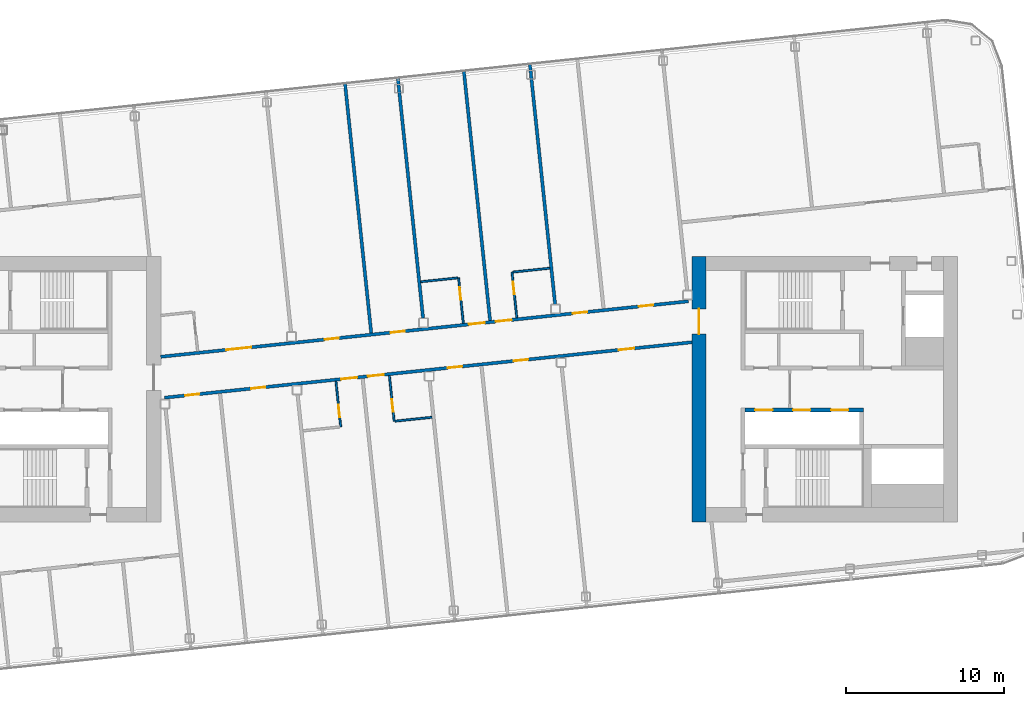
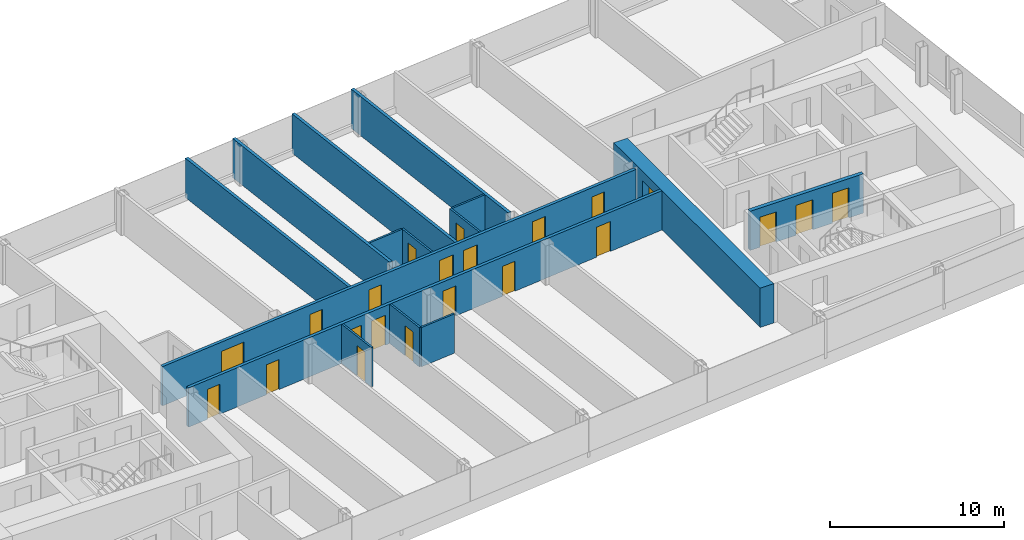
# One storey, part 16 of 27: 22 doors, 15 walls, 22 openings.
"""IFC4 building model written with IfcOpenShell, lengths in metres."""

from ifc_helpers import new_model, si_unit, direction, frame, frame_2d, origin, place, context, subcontext, project, spatial, rectangle, extrude, material, layer, layer_set, type_object, element, fill, save


model = new_model("IFC4")

# Units and contexts
model_context = context("Model", 3, precision=1e-05, world=origin(), true_north=direction((0.0, 1.0)))
body_context = subcontext(model_context, "Body", "Model", "MODEL_VIEW")
ifc_project = project(units=[si_unit("LENGTHUNIT", "METRE"), si_unit("AREAUNIT", "SQUARE_METRE"), si_unit("VOLUMEUNIT", "CUBIC_METRE"), si_unit("PLANEANGLEUNIT", "RADIAN"), si_unit("MASSUNIT", "GRAM", prefix="KILO")], contexts=[model_context])

# Site, building, storey
site_placement = place(None, origin())
site = spatial("IfcSite", under=ifc_project, at=site_placement, CompositionType="ELEMENT")
building_placement = place(site_placement, origin())
building = spatial("IfcBuilding", under=site, at=building_placement, Name="Hakoniwa Tower and Hamabe Station Hall", CompositionType="ELEMENT")
storey_placement = place(building_placement, frame((0.0, 0.0, 255.0)))
storey = spatial("IfcBuildingStorey", under=building, at=storey_placement, Name="L72", CompositionType="ELEMENT", Elevation=255.0)

# Walls
ifc_material_1 = material(Name="Gypsum board partition", Category="gypsum")
ifc_layer_1 = layer(ifc_material_1, 0.125)
ifc_layer_set_1 = layer_set([ifc_layer_1], Name="Bathroom Partition 125")
wall_type_1 = type_object("IfcWallType", Name="Bathroom Partition 125", PredefinedType="PARTITIONING", material=ifc_layer_set_1)
for number, where, z_axis, x_axis, name in (
    (1, (-1.974609375, -2.03125, 0.0), (0.0, 0.0, 1.0), (0.994519751088, 0.104548862722, 0.0), "GW-L72-005"),
    (2, (-0.35009765625, 6.786865234375, 0.0), (0.0, 0.0, 1.0), (0.994519751088, 0.104548862722, 0.0), "GW-L72-009"),
    (3, (5.48046875, 7.399658203125, 0.0), (0.0, 0.0, 1.0), (0.994519751088, 0.104548862722, 0.0), "GW-L72-010"),
):
    element("IfcWall", number, at=place(storey_placement, frame(where, z_axis=z_axis, x_axis=x_axis)), inside=storey, type_object=wall_type_1, Name=name, PredefinedType="PARTITIONING", context=body_context, shape_type="SweptSolid", body=[
        extrude(rectangle(XDim=2.33740234375, YDim=0.125, at=frame_2d((1.168701171875, 0.0))), origin(), (0.0, 0.0, 1.0), 2.75),
    ])

# Wall, opening, door
wall_1_placement = place(storey_placement, frame((-5.418212890625, -2.39306640625, 0.0), z_axis=(0.0, 0.0, 1.0), x_axis=(-0.104562076147, 0.994518361938, 0.0)))
wall_1 = element("IfcWall", 4, at=wall_1_placement, inside=storey, type_object=wall_type_1, Name="GW-L72-028", PredefinedType="PARTITIONING", context=body_context, shape_type="SweptSolid", body=[
    extrude(rectangle(XDim=2.89990234375, YDim=0.125, at=frame_2d((1.449951171875, 0.0))), origin(), (0.0, 0.0, 1.0), 2.75),
])
opening_1_placement = place(wall_1_placement, frame((0.60009765625, 0.0, 0.0)))
opening_1 = element("IfcOpeningElement", 5, at=opening_1_placement, cuts=wall_1, Name="Opening GD-G5B1-29", PredefinedType="OPENING", context=body_context, shape_type="SweptSolid", body=[
    extrude(rectangle(XDim=0.800048828125, YDim=2.10009765625, at=frame_2d((0.39990234375, 1.050048828125))), frame((0.0, 0.072509765625, 0.0), z_axis=(0.0, -1.0, 0.0), x_axis=(1.0, 0.0, 0.0)), (0.0, 0.0, 1.0), 0.14501953125),
])
ifc_material_2 = material(Name="Timber door leaf", Category="wood")
door_type_1 = type_object("IfcDoorType", Name="Bathroom Door 800", OperationType="SINGLE_SWING_LEFT", PredefinedType="DOOR", material=ifc_material_2)
door_1_placement = place(opening_1_placement, origin())
door_1 = element("IfcDoor", 6, at=door_1_placement, inside=storey, type_object=door_type_1, Name="Door GD-G5B1-29", OperationType="SINGLE_SWING_RIGHT", OverallHeight=2.10009765625, OverallWidth=0.800048828125, PredefinedType="DOOR", context=body_context, shape_type="SweptSolid", body=[
    extrude(rectangle(XDim=0.800048828125, YDim=2.10009765625, at=frame_2d((0.39990234375, 1.050048828125))), frame((0.0, 0.02490234375, 0.0), z_axis=(0.0, -1.0, 0.0), x_axis=(1.0, 0.0, 0.0)), (0.0, 0.0, 1.0), 0.050048828125),
])
fill(opening_1, door_1)

wall_2_placement = place(storey_placement, frame((-2.036865234375, -2.037841796875, 0.0), z_axis=(0.0, 0.0, 1.0), x_axis=(-0.104470059912, 0.994528032074, 0.0)))
wall_2 = element("IfcWall", 7, at=wall_2_placement, inside=storey, type_object=wall_type_1, Name="GW-L72-031", PredefinedType="PARTITIONING", context=body_context, shape_type="SweptSolid", body=[
    extrude(rectangle(XDim=2.900146484375, YDim=0.125, at=frame_2d((1.4501953125, 0.0))), origin(), (0.0, 0.0, 1.0), 2.75),
])
opening_2_placement = place(wall_2_placement, frame((0.60009765625, 0.0, 0.0)))
opening_2 = element("IfcOpeningElement", 8, at=opening_2_placement, cuts=wall_2, Name="Opening GD-G5B1-30", PredefinedType="OPENING", context=body_context, shape_type="SweptSolid", body=[
    extrude(rectangle(XDim=0.800048828125, YDim=2.10009765625, at=frame_2d((0.39990234375, 1.050048828125))), frame((0.0, 0.072509765625, 0.0), z_axis=(0.0, -1.0, 0.0), x_axis=(1.0, 0.0, 0.0)), (0.0, 0.0, 1.0), 0.14501953125),
])
door_2_placement = place(opening_2_placement, origin())
door_2 = element("IfcDoor", 9, at=door_2_placement, inside=storey, type_object=door_type_1, Name="Door GD-G5B1-30", OperationType="SINGLE_SWING_LEFT", OverallHeight=2.10009765625, OverallWidth=0.800048828125, PredefinedType="DOOR", context=body_context, shape_type="SweptSolid", body=[
    extrude(rectangle(XDim=0.800048828125, YDim=2.10009765625, at=frame_2d((0.39990234375, 1.050048828125))), frame((0.0, 0.02490234375, 0.0), z_axis=(0.0, -1.0, 0.0), x_axis=(1.0, 0.0, 0.0)), (0.0, 0.0, 1.0), 0.050048828125),
])
fill(opening_2, door_2)

wall_3_placement = place(storey_placement, frame((2.33984375, 4.153564453125, 0.0), z_axis=(0.0, 0.0, 1.0), x_axis=(-0.104470059912, 0.994528032074, 0.0)))
wall_3 = element("IfcWall", 10, at=wall_3_placement, inside=storey, type_object=wall_type_1, Name="GW-L72-034", PredefinedType="PARTITIONING", context=body_context, shape_type="SweptSolid", body=[
    extrude(rectangle(XDim=2.900146484375, YDim=0.125, at=frame_2d((1.4501953125, 0.0))), origin(), (0.0, 0.0, 1.0), 2.75),
])
opening_3_placement = place(wall_3_placement, frame((1.5, 0.0, 0.0)))
opening_3 = element("IfcOpeningElement", 11, at=opening_3_placement, cuts=wall_3, Name="Opening GD-G5B1-31", PredefinedType="OPENING", context=body_context, shape_type="SweptSolid", body=[
    extrude(rectangle(XDim=0.800048828125, YDim=2.10009765625, at=frame_2d((0.39990234375, 1.050048828125))), frame((0.0, 0.072509765625, 0.0), z_axis=(0.0, -1.0, 0.0), x_axis=(1.0, 0.0, 0.0)), (0.0, 0.0, 1.0), 0.14501953125),
])
door_3_placement = place(opening_3_placement, origin())
door_3 = element("IfcDoor", 12, at=door_3_placement, inside=storey, type_object=door_type_1, Name="Door GD-G5B1-31", OperationType="SINGLE_SWING_LEFT", OverallHeight=2.10009765625, OverallWidth=0.800048828125, PredefinedType="DOOR", context=body_context, shape_type="SweptSolid", body=[
    extrude(rectangle(XDim=0.800048828125, YDim=2.10009765625, at=frame_2d((0.39990234375, 1.050048828125))), frame((0.0, 0.02490234375, 0.0), z_axis=(0.0, -1.0, 0.0), x_axis=(1.0, 0.0, 0.0)), (0.0, 0.0, 1.0), 0.050048828125),
])
fill(opening_3, door_3)

wall_4_placement = place(storey_placement, frame((5.721435546875, 4.509033203125, 0.0), z_axis=(0.0, 0.0, 1.0), x_axis=(-0.104562076147, 0.994518361938, 0.0)))
wall_4 = element("IfcWall", 13, at=wall_4_placement, inside=storey, type_object=wall_type_1, Name="GW-L72-037", PredefinedType="PARTITIONING", context=body_context, shape_type="SweptSolid", body=[
    extrude(rectangle(XDim=2.89990234375, YDim=0.125, at=frame_2d((1.449951171875, 0.0))), origin(), (0.0, 0.0, 1.0), 2.75),
])
opening_4_placement = place(wall_4_placement, frame((1.5, 0.0, 0.0)))
opening_4 = element("IfcOpeningElement", 14, at=opening_4_placement, cuts=wall_4, Name="Opening GD-G5B1-32", PredefinedType="OPENING", context=body_context, shape_type="SweptSolid", body=[
    extrude(rectangle(XDim=0.800048828125, YDim=2.10009765625, at=frame_2d((0.39990234375, 1.050048828125))), frame((0.0, 0.072509765625, 0.0), z_axis=(0.0, -1.0, 0.0), x_axis=(1.0, 0.0, 0.0)), (0.0, 0.0, 1.0), 0.14501953125),
])
door_4_placement = place(opening_4_placement, origin())
door_4 = element("IfcDoor", 15, at=door_4_placement, inside=storey, type_object=door_type_1, Name="Door GD-G5B1-32", OperationType="SINGLE_SWING_RIGHT", OverallHeight=2.10009765625, OverallWidth=0.800048828125, PredefinedType="DOOR", context=body_context, shape_type="SweptSolid", body=[
    extrude(rectangle(XDim=0.800048828125, YDim=2.10009765625, at=frame_2d((0.39990234375, 1.050048828125))), frame((0.0, 0.02490234375, 0.0), z_axis=(0.0, -1.0, 0.0), x_axis=(1.0, 0.0, 0.0)), (0.0, 0.0, 1.0), 0.050048828125),
])
fill(opening_4, door_4)

ifc_material_3 = material(Name="Concrete C60", Category="concrete")
ifc_layer_2 = layer(ifc_material_3, 0.89990234375)
ifc_layer_set_2 = layer_set([ifc_layer_2], Name="CORE WALL 900 C60")
wall_type_2 = type_object("IfcWallType", Name="CORE WALL 900 C60", PredefinedType="SHEAR", material=ifc_layer_set_2)
wall_5_placement = place(storey_placement, frame((17.25, -8.39990234375, 0.0), z_axis=(0.0, 0.0, 1.0), x_axis=(0.0, 1.0, 0.0)))
wall_5 = element("IfcWall", 16, at=wall_5_placement, inside=storey, type_object=wall_type_2, Name="Core wall INNER east", PredefinedType="SHEAR", context=body_context, shape_type="SweptSolid", body=[
    extrude(rectangle(XDim=16.7998046875, YDim=0.89990234375, at=frame_2d((8.39990234375, 0.0))), origin(), (0.0, 0.0, 1.0), 2.75),
])
opening_5_placement = place(wall_5_placement, frame((11.87890625, 0.0, 0.0)))
opening_5 = element("IfcOpeningElement", 17, at=opening_5_placement, cuts=wall_5, Name="Opening CD-E-IN1-16", PredefinedType="OPENING", context=body_context, shape_type="SweptSolid", body=[
    extrude(rectangle(XDim=1.60009765625, YDim=2.10009765625, at=frame_2d((0.800048828125, 1.050048828125))), frame((0.0, 0.4599609375, 0.0), z_axis=(0.0, -1.0, 0.0), x_axis=(1.0, 0.0, 0.0)), (0.0, 0.0, 1.0), 0.919921875),
])
ifc_material_4 = material(Name="Steel fire door", Category="steel")
door_type_2 = type_object("IfcDoorType", Name="CORE DOOR 1600 FD60", OperationType="DOUBLE_DOOR_SINGLE_SWING", PredefinedType="DOOR", material=ifc_material_4)
door_5_placement = place(opening_5_placement, origin())
door_5 = element("IfcDoor", 18, at=door_5_placement, inside=storey, type_object=door_type_2, Name="Lift lobby door", OperationType="DOUBLE_DOOR_SINGLE_SWING", OverallHeight=2.10009765625, OverallWidth=1.60009765625, PredefinedType="DOOR", context=body_context, shape_type="SweptSolid", body=[
    extrude(rectangle(XDim=1.60009765625, YDim=2.10009765625, at=frame_2d((0.800048828125, 1.050048828125))), frame((0.0, 0.02490234375, 0.0), z_axis=(0.0, -1.0, 0.0), x_axis=(1.0, 0.0, 0.0)), (0.0, 0.0, 1.0), 0.050048828125),
])
fill(opening_5, door_5)

# Wall, openings, doors
ifc_material_5 = material(Name="Concrete C60", Category="concrete")
ifc_layer_3 = layer(ifc_material_5, 0.25)
ifc_layer_set_3 = layer_set([ifc_layer_3], Name="CORE WEB WALL 250 C60")
wall_type_3 = type_object("IfcWallType", Name="CORE WEB WALL 250 C60", PredefinedType="SHEAR", material=ifc_layer_set_3)
wall_6_placement = place(storey_placement, frame((20.14990234375, -1.324951171875, 0.0), z_axis=(0.0, 0.0, 1.0), x_axis=(1.0, 0.0, 0.0)))
wall_6 = element("IfcWall", 19, at=wall_6_placement, inside=storey, type_object=wall_type_3, Name="Core wall SF east", PredefinedType="SHEAR", context=body_context, shape_type="SweptSolid", body=[
    extrude(rectangle(XDim=7.5, YDim=0.25, at=frame_2d((3.75, 0.0))), origin(), (0.0, 0.0, 1.0), 2.75),
])
opening_6_placement = place(wall_6_placement, frame((0.64990234375, 0.0, 0.0)))
opening_6 = element("IfcOpeningElement", 20, at=opening_6_placement, cuts=wall_6, Name="Opening LD-HR4", PredefinedType="OPENING", context=body_context, shape_type="SweptSolid", body=[
    extrude(rectangle(XDim=1.10009765625, YDim=2.10009765625, at=frame_2d((0.550048828125, 1.050048828125))), frame((0.0, 0.135009765625, 0.0), z_axis=(0.0, -1.0, 0.0), x_axis=(1.0, 0.0, 0.0)), (0.0, 0.0, 1.0), 0.27001953125),
])
opening_7_placement = place(wall_6_placement, frame((3.050048828125, 0.0, 0.0)))
opening_7 = element("IfcOpeningElement", 21, at=opening_7_placement, cuts=wall_6, Name="Opening LD-HR5", PredefinedType="OPENING", context=body_context, shape_type="SweptSolid", body=[
    extrude(rectangle(XDim=1.10009765625, YDim=2.10009765625, at=frame_2d((0.550048828125, 1.050048828125))), frame((0.0, 0.135009765625, 0.0), z_axis=(0.0, -1.0, 0.0), x_axis=(1.0, 0.0, 0.0)), (0.0, 0.0, 1.0), 0.27001953125),
])
opening_8_placement = place(wall_6_placement, frame((5.449951171875, 0.0, 0.0)))
opening_8 = element("IfcOpeningElement", 22, at=opening_8_placement, cuts=wall_6, Name="Opening LD-HR6", PredefinedType="OPENING", context=body_context, shape_type="SweptSolid", body=[
    extrude(rectangle(XDim=1.10009765625, YDim=2.10009765625, at=frame_2d((0.550048828125, 1.050048828125))), frame((0.0, 0.135009765625, 0.0), z_axis=(0.0, -1.0, 0.0), x_axis=(1.0, 0.0, 0.0)), (0.0, 0.0, 1.0), 0.27001953125),
])
ifc_material_6 = material(Name="Stainless steel SUS304", Category="steel")
door_type_3 = type_object("IfcDoorType", Name="LIFT LANDING DOOR 1100 FD60", OperationType="DOUBLE_DOOR_SLIDING", PredefinedType="DOOR", material=ifc_material_6)
door_6_placement = place(opening_6_placement, origin())
door_6 = element("IfcDoor", 23, at=door_6_placement, inside=storey, type_object=door_type_3, Name="Lift landing door HR4 L72", OperationType="DOUBLE_DOOR_SLIDING", OverallHeight=2.10009765625, OverallWidth=1.10009765625, PredefinedType="DOOR", context=body_context, shape_type="SweptSolid", body=[
    extrude(rectangle(XDim=1.10009765625, YDim=2.10009765625, at=frame_2d((0.550048828125, 1.050048828125))), frame((0.0, 0.02490234375, 0.0), z_axis=(0.0, -1.0, 0.0), x_axis=(1.0, 0.0, 0.0)), (0.0, 0.0, 1.0), 0.050048828125),
])
fill(opening_6, door_6)
door_7_placement = place(opening_7_placement, origin())
door_7 = element("IfcDoor", 24, at=door_7_placement, inside=storey, type_object=door_type_3, Name="Lift landing door HR5 L72", OperationType="DOUBLE_DOOR_SLIDING", OverallHeight=2.10009765625, OverallWidth=1.10009765625, PredefinedType="DOOR", context=body_context, shape_type="SweptSolid", body=[
    extrude(rectangle(XDim=1.10009765625, YDim=2.10009765625, at=frame_2d((0.550048828125, 1.050048828125))), frame((0.0, 0.02490234375, 0.0), z_axis=(0.0, -1.0, 0.0), x_axis=(1.0, 0.0, 0.0)), (0.0, 0.0, 1.0), 0.050048828125),
])
fill(opening_7, door_7)
door_8_placement = place(opening_8_placement, origin())
door_8 = element("IfcDoor", 25, at=door_8_placement, inside=storey, type_object=door_type_3, Name="Lift landing door HR6 L72", OperationType="DOUBLE_DOOR_SLIDING", OverallHeight=2.10009765625, OverallWidth=1.10009765625, PredefinedType="DOOR", context=body_context, shape_type="SweptSolid", body=[
    extrude(rectangle(XDim=1.10009765625, YDim=2.10009765625, at=frame_2d((0.550048828125, 1.050048828125))), frame((0.0, 0.02490234375, 0.0), z_axis=(0.0, -1.0, 0.0), x_axis=(1.0, 0.0, 0.0)), (0.0, 0.0, 1.0), 0.050048828125),
])
fill(opening_8, door_8)

ifc_material_7 = material(Name="Fire-rated gypsum board partition", Category="gypsum")
ifc_layer_4 = layer(ifc_material_7, 0.199951171875)
ifc_layer_set_4 = layer_set([ifc_layer_4], Name="Corridor Wall 200")
wall_type_4 = type_object("IfcWallType", Name="Corridor Wall 200", PredefinedType="PARTITIONING", material=ifc_layer_set_4)
wall_7_placement = place(storey_placement, frame((-16.572021484375, -0.549072265625, 0.0), z_axis=(0.0, 0.0, 1.0), x_axis=(0.994521146831, 0.104535584879, 0.0)))
wall_7 = element("IfcWall", 26, at=wall_7_placement, inside=storey, type_object=wall_type_4, Name="GW-L72-006", PredefinedType="PARTITIONING", context=body_context, shape_type="SweptSolid", body=[
    extrude(rectangle(XDim=33.560791015625, YDim=0.199951171875, at=frame_2d((16.7802734375, 0.0))), origin(), (0.0, 0.0, 1.0), 2.75),
])
opening_9_placement = place(wall_7_placement, frame((1.31494140625, 0.0, 0.0)))
opening_9 = element("IfcOpeningElement", 27, at=opening_9_placement, cuts=wall_7, Name="Opening GD-G5B1-06", PredefinedType="OPENING", context=body_context, shape_type="SweptSolid", body=[
    extrude(rectangle(XDim=0.89990234375, YDim=2.10009765625, at=frame_2d((0.449951171875, 1.050048828125))), frame((0.0, 0.10986328125, 0.0), z_axis=(0.0, -1.0, 0.0), x_axis=(1.0, 0.0, 0.0)), (0.0, 0.0, 1.0), 0.219970703125),
])
opening_10_placement = place(wall_7_placement, frame((5.514892578125, 0.0, 0.0)))
opening_10 = element("IfcOpeningElement", 28, at=opening_10_placement, cuts=wall_7, Name="Opening GD-G5B1-07", PredefinedType="OPENING", context=body_context, shape_type="SweptSolid", body=[
    extrude(rectangle(XDim=0.89990234375, YDim=2.10009765625, at=frame_2d((0.449951171875, 1.050048828125))), frame((0.0, 0.10986328125, 0.0), z_axis=(0.0, -1.0, 0.0), x_axis=(1.0, 0.0, 0.0)), (0.0, 0.0, 1.0), 0.219970703125),
])
opening_11_placement = place(wall_7_placement, frame((11.25, 0.0, 0.0)))
opening_11 = element("IfcOpeningElement", 29, at=opening_11_placement, cuts=wall_7, Name="Opening GD-G5B1-08", PredefinedType="OPENING", context=body_context, shape_type="SweptSolid", body=[
    extrude(rectangle(XDim=1.0, YDim=2.10009765625, at=frame_2d((0.5, 1.050048828125))), frame((0.0, 0.10986328125, 0.0), z_axis=(0.0, -1.0, 0.0), x_axis=(1.0, 0.0, 0.0)), (0.0, 0.0, 1.0), 0.219970703125),
])
opening_12_placement = place(wall_7_placement, frame((12.949951171875, 0.0, 0.0)))
opening_12 = element("IfcOpeningElement", 30, at=opening_12_placement, cuts=wall_7, Name="Opening GD-G5B1-09", PredefinedType="OPENING", context=body_context, shape_type="SweptSolid", body=[
    extrude(rectangle(XDim=1.0, YDim=2.10009765625, at=frame_2d((0.5, 1.050048828125))), frame((0.0, 0.10986328125, 0.0), z_axis=(0.0, -1.0, 0.0), x_axis=(1.0, 0.0, 0.0)), (0.0, 0.0, 1.0), 0.219970703125),
])
opening_13_placement = place(wall_7_placement, frame((18.030029296875, 0.0, 0.0)))
opening_13 = element("IfcOpeningElement", 31, at=opening_13_placement, cuts=wall_7, Name="Opening GD-G5B1-10", PredefinedType="OPENING", context=body_context, shape_type="SweptSolid", body=[
    extrude(rectangle(XDim=0.89990234375, YDim=2.10009765625, at=frame_2d((0.449951171875, 1.050048828125))), frame((0.0, 0.10986328125, 0.0), z_axis=(0.0, -1.0, 0.0), x_axis=(1.0, 0.0, 0.0)), (0.0, 0.0, 1.0), 0.219970703125),
])
opening_14_placement = place(wall_7_placement, frame((22.22998046875, 0.0, 0.0)))
opening_14 = element("IfcOpeningElement", 32, at=opening_14_placement, cuts=wall_7, Name="Opening GD-G5B1-11", PredefinedType="OPENING", context=body_context, shape_type="SweptSolid", body=[
    extrude(rectangle(XDim=0.89990234375, YDim=2.10009765625, at=frame_2d((0.449951171875, 1.050048828125))), frame((0.0, 0.10986328125, 0.0), z_axis=(0.0, -1.0, 0.0), x_axis=(1.0, 0.0, 0.0)), (0.0, 0.0, 1.0), 0.219970703125),
])
opening_15_placement = place(wall_7_placement, frame((28.89990234375, 0.0, 0.0)))
opening_15 = element("IfcOpeningElement", 33, at=opening_15_placement, cuts=wall_7, Name="Opening GD-G5B1-12", PredefinedType="OPENING", context=body_context, shape_type="SweptSolid", body=[
    extrude(rectangle(XDim=1.0, YDim=2.10009765625, at=frame_2d((0.5, 1.050048828125))), frame((0.0, 0.10986328125, 0.0), z_axis=(0.0, -1.0, 0.0), x_axis=(1.0, 0.0, 0.0)), (0.0, 0.0, 1.0), 0.219970703125),
])
ifc_material_8 = material(Name="Timber door leaf", Category="wood")
door_type_4 = type_object("IfcDoorType", Name="Guest Entrance Door 1000", OperationType="SINGLE_SWING_LEFT", PredefinedType="DOOR", material=ifc_material_8)
door_9_placement = place(opening_11_placement, origin())
door_9 = element("IfcDoor", 34, at=door_9_placement, inside=storey, type_object=door_type_4, Name="Door GD-G5B1-08", OperationType="SINGLE_SWING_RIGHT", OverallHeight=2.10009765625, OverallWidth=1.0, PredefinedType="DOOR", context=body_context, shape_type="SweptSolid", body=[
    extrude(rectangle(XDim=1.0, YDim=2.10009765625, at=frame_2d((0.5, 1.050048828125))), frame((0.0, 0.02490234375, 0.0), z_axis=(0.0, -1.0, 0.0), x_axis=(1.0, 0.0, 0.0)), (0.0, 0.0, 1.0), 0.050048828125),
])
fill(opening_11, door_9)
door_10_placement = place(opening_12_placement, origin())
door_10 = element("IfcDoor", 35, at=door_10_placement, inside=storey, type_object=door_type_4, Name="Door GD-G5B1-09", OperationType="SINGLE_SWING_LEFT", OverallHeight=2.10009765625, OverallWidth=1.0, PredefinedType="DOOR", context=body_context, shape_type="SweptSolid", body=[
    extrude(rectangle(XDim=1.0, YDim=2.10009765625, at=frame_2d((0.5, 1.050048828125))), frame((0.0, 0.02490234375, 0.0), z_axis=(0.0, -1.0, 0.0), x_axis=(1.0, 0.0, 0.0)), (0.0, 0.0, 1.0), 0.050048828125),
])
fill(opening_12, door_10)
door_11_placement = place(opening_15_placement, origin())
door_11 = element("IfcDoor", 36, at=door_11_placement, inside=storey, type_object=door_type_4, Name="Door GD-G5B1-12", OperationType="SINGLE_SWING_LEFT", OverallHeight=2.10009765625, OverallWidth=1.0, PredefinedType="DOOR", context=body_context, shape_type="SweptSolid", body=[
    extrude(rectangle(XDim=1.0, YDim=2.10009765625, at=frame_2d((0.5, 1.050048828125))), frame((0.0, 0.02490234375, 0.0), z_axis=(0.0, -1.0, 0.0), x_axis=(1.0, 0.0, 0.0)), (0.0, 0.0, 1.0), 0.050048828125),
])
fill(opening_15, door_11)
ifc_material_9 = material(Name="Timber door leaf", Category="wood")
door_type_5 = type_object("IfcDoorType", Name="Service Door 900", OperationType="SINGLE_SWING_LEFT", PredefinedType="DOOR", material=ifc_material_9)
door_12_placement = place(opening_9_placement, origin())
door_12 = element("IfcDoor", 37, at=door_12_placement, inside=storey, type_object=door_type_5, Name="Door GD-G5B1-06", OperationType="SINGLE_SWING_RIGHT", OverallHeight=2.10009765625, OverallWidth=0.89990234375, PredefinedType="DOOR", context=body_context, shape_type="SweptSolid", body=[
    extrude(rectangle(XDim=0.89990234375, YDim=2.10009765625, at=frame_2d((0.449951171875, 1.050048828125))), frame((0.0, 0.02490234375, 0.0), z_axis=(0.0, -1.0, 0.0), x_axis=(1.0, 0.0, 0.0)), (0.0, 0.0, 1.0), 0.050048828125),
])
fill(opening_9, door_12)
door_13_placement = place(opening_10_placement, origin())
door_13 = element("IfcDoor", 38, at=door_13_placement, inside=storey, type_object=door_type_5, Name="Door GD-G5B1-07", OperationType="SINGLE_SWING_LEFT", OverallHeight=2.10009765625, OverallWidth=0.89990234375, PredefinedType="DOOR", context=body_context, shape_type="SweptSolid", body=[
    extrude(rectangle(XDim=0.89990234375, YDim=2.10009765625, at=frame_2d((0.449951171875, 1.050048828125))), frame((0.0, 0.02490234375, 0.0), z_axis=(0.0, -1.0, 0.0), x_axis=(1.0, 0.0, 0.0)), (0.0, 0.0, 1.0), 0.050048828125),
])
fill(opening_10, door_13)
door_14_placement = place(opening_13_placement, origin())
door_14 = element("IfcDoor", 39, at=door_14_placement, inside=storey, type_object=door_type_5, Name="Door GD-G5B1-10", OperationType="SINGLE_SWING_RIGHT", OverallHeight=2.10009765625, OverallWidth=0.89990234375, PredefinedType="DOOR", context=body_context, shape_type="SweptSolid", body=[
    extrude(rectangle(XDim=0.89990234375, YDim=2.10009765625, at=frame_2d((0.449951171875, 1.050048828125))), frame((0.0, 0.02490234375, 0.0), z_axis=(0.0, -1.0, 0.0), x_axis=(1.0, 0.0, 0.0)), (0.0, 0.0, 1.0), 0.050048828125),
])
fill(opening_13, door_14)
door_15_placement = place(opening_14_placement, origin())
door_15 = element("IfcDoor", 40, at=door_15_placement, inside=storey, type_object=door_type_5, Name="Door GD-G5B1-11", OperationType="SINGLE_SWING_RIGHT", OverallHeight=2.10009765625, OverallWidth=0.89990234375, PredefinedType="DOOR", context=body_context, shape_type="SweptSolid", body=[
    extrude(rectangle(XDim=0.89990234375, YDim=2.10009765625, at=frame_2d((0.449951171875, 1.050048828125))), frame((0.0, 0.02490234375, 0.0), z_axis=(0.0, -1.0, 0.0), x_axis=(1.0, 0.0, 0.0)), (0.0, 0.0, 1.0), 0.050048828125),
])
fill(opening_14, door_15)

wall_8_placement = place(storey_placement, frame((-16.804931640625, 2.040771484375, 0.0), z_axis=(0.0, 0.0, 1.0), x_axis=(0.994521146831, 0.104535584879, 0.0)))
wall_8 = element("IfcWall", 41, at=wall_8_placement, inside=storey, type_object=wall_type_4, Name="GW-L72-007", PredefinedType="PARTITIONING", context=body_context, shape_type="SweptSolid", body=[
    extrude(rectangle(XDim=33.560791015625, YDim=0.199951171875, at=frame_2d((16.7802734375, 0.0))), origin(), (0.0, 0.0, 1.0), 2.75),
])
opening_16_placement = place(wall_8_placement, frame((4.160888671875, 0.0, 0.0)))
opening_16 = element("IfcOpeningElement", 42, at=opening_16_placement, cuts=wall_8, Name="Opening GD-G5B1-13", PredefinedType="OPENING", context=body_context, shape_type="SweptSolid", body=[
    extrude(rectangle(XDim=1.60009765625, YDim=2.10009765625, at=frame_2d((0.800048828125, 1.050048828125))), frame((0.0, 0.10986328125, 0.0), z_axis=(0.0, -1.0, 0.0), x_axis=(1.0, 0.0, 0.0)), (0.0, 0.0, 1.0), 0.219970703125),
])
opening_17_placement = place(wall_8_placement, frame((10.430908203125, 0.0, 0.0)))
opening_17 = element("IfcOpeningElement", 43, at=opening_17_placement, cuts=wall_8, Name="Opening GD-G5B1-14", PredefinedType="OPENING", context=body_context, shape_type="SweptSolid", body=[
    extrude(rectangle(XDim=0.89990234375, YDim=2.10009765625, at=frame_2d((0.449951171875, 1.050048828125))), frame((0.0, 0.10986328125, 0.0), z_axis=(0.0, -1.0, 0.0), x_axis=(1.0, 0.0, 0.0)), (0.0, 0.0, 1.0), 0.219970703125),
])
opening_18_placement = place(wall_8_placement, frame((14.630859375, 0.0, 0.0)))
opening_18 = element("IfcOpeningElement", 44, at=opening_18_placement, cuts=wall_8, Name="Opening GD-G5B1-15", PredefinedType="OPENING", context=body_context, shape_type="SweptSolid", body=[
    extrude(rectangle(XDim=0.89990234375, YDim=2.10009765625, at=frame_2d((0.449951171875, 1.050048828125))), frame((0.0, 0.10986328125, 0.0), z_axis=(0.0, -1.0, 0.0), x_axis=(1.0, 0.0, 0.0)), (0.0, 0.0, 1.0), 0.219970703125),
])
opening_19_placement = place(wall_8_placement, frame((19.61083984375, 0.0, 0.0)))
opening_19 = element("IfcOpeningElement", 45, at=opening_19_placement, cuts=wall_8, Name="Opening GD-G5B1-16", PredefinedType="OPENING", context=body_context, shape_type="SweptSolid", body=[
    extrude(rectangle(XDim=1.0, YDim=2.10009765625, at=frame_2d((0.5, 1.050048828125))), frame((0.0, 0.10986328125, 0.0), z_axis=(0.0, -1.0, 0.0), x_axis=(1.0, 0.0, 0.0)), (0.0, 0.0, 1.0), 0.219970703125),
])
opening_20_placement = place(wall_8_placement, frame((21.310791015625, 0.0, 0.0)))
opening_20 = element("IfcOpeningElement", 46, at=opening_20_placement, cuts=wall_8, Name="Opening GD-G5B1-17", PredefinedType="OPENING", context=body_context, shape_type="SweptSolid", body=[
    extrude(rectangle(XDim=1.0, YDim=2.10009765625, at=frame_2d((0.5, 1.050048828125))), frame((0.0, 0.10986328125, 0.0), z_axis=(0.0, -1.0, 0.0), x_axis=(1.0, 0.0, 0.0)), (0.0, 0.0, 1.0), 0.219970703125),
])
opening_21_placement = place(wall_8_placement, frame((26.220947265625, 0.0, 0.0)))
opening_21 = element("IfcOpeningElement", 47, at=opening_21_placement, cuts=wall_8, Name="Opening GD-G5B1-18", PredefinedType="OPENING", context=body_context, shape_type="SweptSolid", body=[
    extrude(rectangle(XDim=0.89990234375, YDim=2.10009765625, at=frame_2d((0.449951171875, 1.050048828125))), frame((0.0, 0.10986328125, 0.0), z_axis=(0.0, -1.0, 0.0), x_axis=(1.0, 0.0, 0.0)), (0.0, 0.0, 1.0), 0.219970703125),
])
opening_22_placement = place(wall_8_placement, frame((30.4208984375, 0.0, 0.0)))
opening_22 = element("IfcOpeningElement", 48, at=opening_22_placement, cuts=wall_8, Name="Opening GD-G5B1-19", PredefinedType="OPENING", context=body_context, shape_type="SweptSolid", body=[
    extrude(rectangle(XDim=0.89990234375, YDim=2.10009765625, at=frame_2d((0.449951171875, 1.050048828125))), frame((0.0, 0.10986328125, 0.0), z_axis=(0.0, -1.0, 0.0), x_axis=(1.0, 0.0, 0.0)), (0.0, 0.0, 1.0), 0.219970703125),
])
ifc_material_10 = material(Name="Timber door leaf", Category="wood")
door_type_6 = type_object("IfcDoorType", Name="Double Door 1600", OperationType="DOUBLE_DOOR_SINGLE_SWING", PredefinedType="DOOR", material=ifc_material_10)
door_16_placement = place(opening_16_placement, origin())
door_16 = element("IfcDoor", 49, at=door_16_placement, inside=storey, type_object=door_type_6, Name="Door GD-G5B1-13", OperationType="DOUBLE_DOOR_SINGLE_SWING", OverallHeight=2.10009765625, OverallWidth=1.60009765625, PredefinedType="DOOR", context=body_context, shape_type="SweptSolid", body=[
    extrude(rectangle(XDim=1.60009765625, YDim=2.10009765625, at=frame_2d((0.800048828125, 1.050048828125))), frame((0.0, 0.02490234375, 0.0), z_axis=(0.0, -1.0, 0.0), x_axis=(1.0, 0.0, 0.0)), (0.0, 0.0, 1.0), 0.050048828125),
])
fill(opening_16, door_16)
door_17_placement = place(opening_19_placement, origin())
door_17 = element("IfcDoor", 50, at=door_17_placement, inside=storey, type_object=door_type_4, Name="Door GD-G5B1-16", OperationType="SINGLE_SWING_RIGHT", OverallHeight=2.10009765625, OverallWidth=1.0, PredefinedType="DOOR", context=body_context, shape_type="SweptSolid", body=[
    extrude(rectangle(XDim=1.0, YDim=2.10009765625, at=frame_2d((0.5, 1.050048828125))), frame((0.0, 0.02490234375, 0.0), z_axis=(0.0, -1.0, 0.0), x_axis=(1.0, 0.0, 0.0)), (0.0, 0.0, 1.0), 0.050048828125),
])
fill(opening_19, door_17)
door_18_placement = place(opening_20_placement, origin())
door_18 = element("IfcDoor", 51, at=door_18_placement, inside=storey, type_object=door_type_4, Name="Door GD-G5B1-17", OperationType="SINGLE_SWING_LEFT", OverallHeight=2.10009765625, OverallWidth=1.0, PredefinedType="DOOR", context=body_context, shape_type="SweptSolid", body=[
    extrude(rectangle(XDim=1.0, YDim=2.10009765625, at=frame_2d((0.5, 1.050048828125))), frame((0.0, 0.02490234375, 0.0), z_axis=(0.0, -1.0, 0.0), x_axis=(1.0, 0.0, 0.0)), (0.0, 0.0, 1.0), 0.050048828125),
])
fill(opening_20, door_18)
door_19_placement = place(opening_17_placement, origin())
door_19 = element("IfcDoor", 52, at=door_19_placement, inside=storey, type_object=door_type_5, Name="Door GD-G5B1-14", OperationType="SINGLE_SWING_RIGHT", OverallHeight=2.10009765625, OverallWidth=0.89990234375, PredefinedType="DOOR", context=body_context, shape_type="SweptSolid", body=[
    extrude(rectangle(XDim=0.89990234375, YDim=2.10009765625, at=frame_2d((0.449951171875, 1.050048828125))), frame((0.0, 0.02490234375, 0.0), z_axis=(0.0, -1.0, 0.0), x_axis=(1.0, 0.0, 0.0)), (0.0, 0.0, 1.0), 0.050048828125),
])
fill(opening_17, door_19)
door_20_placement = place(opening_18_placement, origin())
door_20 = element("IfcDoor", 53, at=door_20_placement, inside=storey, type_object=door_type_5, Name="Door GD-G5B1-15", OperationType="SINGLE_SWING_RIGHT", OverallHeight=2.10009765625, OverallWidth=0.89990234375, PredefinedType="DOOR", context=body_context, shape_type="SweptSolid", body=[
    extrude(rectangle(XDim=0.89990234375, YDim=2.10009765625, at=frame_2d((0.449951171875, 1.050048828125))), frame((0.0, 0.02490234375, 0.0), z_axis=(0.0, -1.0, 0.0), x_axis=(1.0, 0.0, 0.0)), (0.0, 0.0, 1.0), 0.050048828125),
])
fill(opening_18, door_20)
door_21_placement = place(opening_21_placement, origin())
door_21 = element("IfcDoor", 54, at=door_21_placement, inside=storey, type_object=door_type_5, Name="Door GD-G5B1-18", OperationType="SINGLE_SWING_LEFT", OverallHeight=2.10009765625, OverallWidth=0.89990234375, PredefinedType="DOOR", context=body_context, shape_type="SweptSolid", body=[
    extrude(rectangle(XDim=0.89990234375, YDim=2.10009765625, at=frame_2d((0.449951171875, 1.050048828125))), frame((0.0, 0.02490234375, 0.0), z_axis=(0.0, -1.0, 0.0), x_axis=(1.0, 0.0, 0.0)), (0.0, 0.0, 1.0), 0.050048828125),
])
fill(opening_21, door_21)
door_22_placement = place(opening_22_placement, origin())
door_22 = element("IfcDoor", 55, at=door_22_placement, inside=storey, type_object=door_type_5, Name="Door GD-G5B1-19", OperationType="SINGLE_SWING_LEFT", OverallHeight=2.10009765625, OverallWidth=0.89990234375, PredefinedType="DOOR", context=body_context, shape_type="SweptSolid", body=[
    extrude(rectangle(XDim=0.89990234375, YDim=2.10009765625, at=frame_2d((0.449951171875, 1.050048828125))), frame((0.0, 0.02490234375, 0.0), z_axis=(0.0, -1.0, 0.0), x_axis=(1.0, 0.0, 0.0)), (0.0, 0.0, 1.0), 0.050048828125),
])
fill(opening_22, door_22)

# Walls
ifc_material_11 = material(Name="Fire-rated gypsum board partition", Category="gypsum")
ifc_layer_5 = layer(ifc_material_11, 0.199951171875)
ifc_layer_set_5 = layer_set([ifc_layer_5], Name="Party Wall 200")
wall_type_5 = type_object("IfcWallType", Name="Party Wall 200", PredefinedType="PARTITIONING", material=ifc_layer_set_5)
wall_9_placement = place(storey_placement, frame((-3.488037109375, 3.541015625, 0.0), z_axis=(0.0, 0.0, 1.0), x_axis=(-0.104519331095, 0.994522855156, 0.0)))
element("IfcWall", 56, at=wall_9_placement, inside=storey, type_object=wall_type_5, Name="GW-L72-030", PredefinedType="PARTITIONING", context=body_context, shape_type="SweptSolid", body=[
    extrude(rectangle(XDim=15.900146484375, YDim=0.199951171875, at=frame_2d((7.9501953125, 0.0))), origin(), (0.0, 0.0, 1.0), 2.75),
])
wall_10_placement = place(storey_placement, frame((-0.208251953125, 4.480712890625, 0.0), z_axis=(0.0, 0.0, 1.0), x_axis=(-0.104523729364, 0.99452239291, 0.0)))
element("IfcWall", 57, at=wall_10_placement, inside=storey, type_object=wall_type_5, Name="GW-L72-033", PredefinedType="PARTITIONING", context=body_context, shape_type="SweptSolid", body=[
    extrude(rectangle(XDim=15.308349609375, YDim=0.199951171875, at=frame_2d((7.654296875, 0.0))), origin(), (0.0, 0.0, 1.0), 2.75),
])
wall_11_placement = place(storey_placement, frame((4.03076171875, 4.331298828125, 0.0), z_axis=(0.0, 0.0, 1.0), x_axis=(-0.104534518003, 0.994521258971, 0.0)))
element("IfcWall", 58, at=wall_11_placement, inside=storey, type_object=wall_type_5, Name="GW-L72-036", PredefinedType="PARTITIONING", context=body_context, shape_type="SweptSolid", body=[
    extrude(rectangle(XDim=15.900146484375, YDim=0.199951171875, at=frame_2d((7.9501953125, 0.0))), origin(), (0.0, 0.0, 1.0), 2.75),
])
wall_12_placement = place(storey_placement, frame((8.145751953125, 5.358642578125, 0.0), z_axis=(0.0, 0.0, 1.0), x_axis=(-0.104523729364, 0.99452239291, 0.0)))
element("IfcWall", 59, at=wall_12_placement, inside=storey, type_object=wall_type_5, Name="GW-L72-039", PredefinedType="PARTITIONING", context=body_context, shape_type="SweptSolid", body=[
    extrude(rectangle(XDim=15.308349609375, YDim=0.199951171875, at=frame_2d((7.654296875, 0.0))), origin(), (0.0, 0.0, 1.0), 2.75),
])

save(model, "model.ifc")
